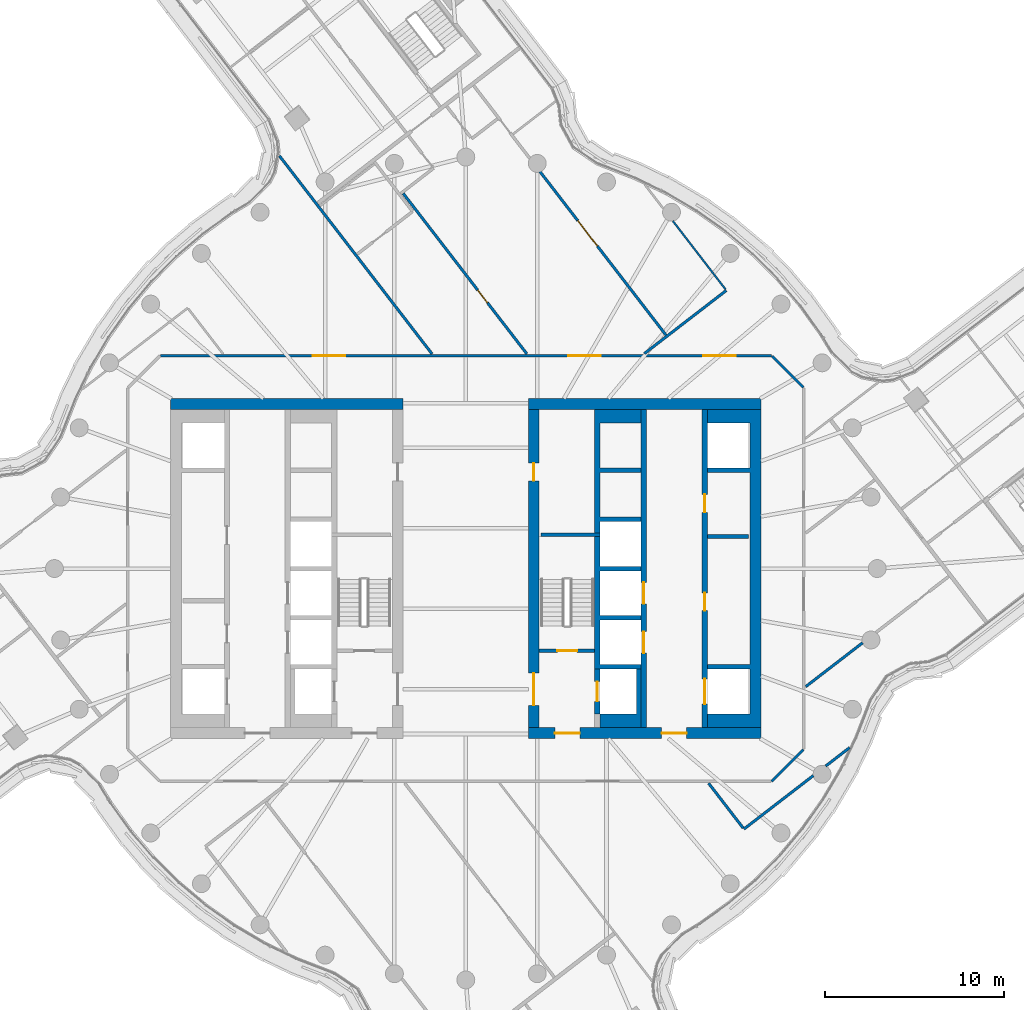
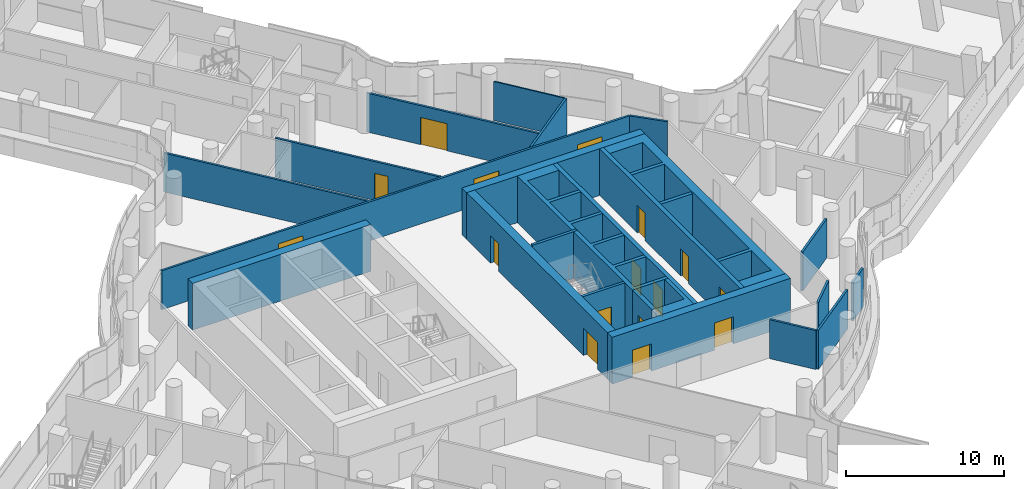
# One storey, part 22 of 33: 25 walls, 16 doors, 16 openings.
"""IFC4 building model written with IfcOpenShell, lengths in metres."""

import ifcopenshell
import ifcopenshell.guid

model = None  # the IFC model being written
_history = None  # IfcOwnerHistory: only IFC2X3 demands one
_inside = {}  # id of a spatial element -> (the spatial element, [elements in it])
_under = {}  # id of a project, library or spatial element -> (it, [spatial elements below it])
_declared = {}  # id of a project -> (the project, [libraries it declares])
_typed = {}  # id of a type object -> (the type object, [elements of that type])
_made_of = {}  # id of a material, layer set ... -> (it, [elements and type objects made of it])


def new_model(schema):
    """Start an empty IFC model of exactly this schema.

    Asked for "IFC4X3", IfcOpenShell would pick the latest addendum, in which some entities
    have other attributes; the version numbers below select the first issue.
    IFC2X3 requires an IfcOwnerHistory on every rooted entity: one is made here for all.
    """
    global model, _history
    if schema == "IFC4X3":
        model = ifcopenshell.file(schema_version=(4, 3, 0, 0))
    else:
        model = ifcopenshell.file(schema=schema)
    _inside.clear()
    _under.clear()
    _declared.clear()
    _typed.clear()
    _made_of.clear()
    _history = None
    if model.schema == "IFC2X3":
        org = make("IfcOrganization", Name="unknown")
        user = make(
            "IfcPersonAndOrganization",
            ThePerson=make("IfcPerson", FamilyName="unknown"),
            TheOrganization=org,
        )
        app = make(
            "IfcApplication",
            ApplicationDeveloper=org,
            Version="unknown",
            ApplicationFullName="unknown",
            ApplicationIdentifier="unknown",
        )
        _history = make(
            "IfcOwnerHistory",
            OwningUser=user,
            OwningApplication=app,
            ChangeAction="ADDED",
            CreationDate=0,
        )
    return model


def make(cls, **values):
    """One entity of the class cls with the attributes given. An attribute that is None is left unset."""
    return model.create_entity(
        cls, **{name: value for name, value in values.items() if value is not None}
    )


def rooted(cls, **values):
    """An entity with a GlobalId (a new one), such as an element, a storey or a relation."""
    return make(cls, GlobalId=ifcopenshell.guid.new(), OwnerHistory=_history, **values)


def si_unit(unit_type, name, prefix=None):
    """IfcSIUnit, for example si_unit("LENGTHUNIT", "METRE", prefix="MILLI")."""
    return make("IfcSIUnit", UnitType=unit_type, Prefix=prefix, Name=name)


def assignment(units):
    """IfcUnitAssignment: the units of a project."""
    return None if units is None else make("IfcUnitAssignment", Units=units)


def point(xyz):
    """IfcCartesianPoint."""
    return None if xyz is None else make("IfcCartesianPoint", Coordinates=xyz)


def direction(xyz):
    """IfcDirection."""
    return None if xyz is None else make("IfcDirection", DirectionRatios=xyz)


def frame(location, z_axis=None, x_axis=None):
    """IfcAxis2Placement3D, a coordinate frame: its origin and axes. An axis left out is left unset."""
    return make(
        "IfcAxis2Placement3D",
        Location=point(location),
        Axis=direction(z_axis),
        RefDirection=direction(x_axis),
    )


def frame_2d(location, x_axis=None):
    """IfcAxis2Placement2D, a coordinate frame in the plane: its origin and x axis."""
    return make(
        "IfcAxis2Placement2D", Location=point(location), RefDirection=direction(x_axis)
    )


def origin():
    """The frame at (0, 0, 0) with its axes left unset."""
    return frame((0.0, 0.0, 0.0))


def place(relative_to, where):
    """IfcLocalPlacement: puts the frame where relative to a parent placement (None: the world)."""
    return make(
        "IfcLocalPlacement", PlacementRelTo=relative_to, RelativePlacement=where
    )


def context(
    kind, dimensions, precision=None, world=None, true_north=None, identifier=None
):
    """IfcGeometricRepresentationContext, for example the 3D "Model" context."""
    return make(
        "IfcGeometricRepresentationContext",
        ContextIdentifier=identifier,
        ContextType=kind,
        CoordinateSpaceDimension=dimensions,
        Precision=precision,
        WorldCoordinateSystem=world,
        TrueNorth=true_north,
    )


def subcontext(parent, identifier, kind, view, scale=None):
    """IfcGeometricRepresentationSubContext, for example "Body" below "Model"."""
    return make(
        "IfcGeometricRepresentationSubContext",
        ContextIdentifier=identifier,
        ContextType=kind,
        ParentContext=parent,
        TargetScale=scale,
        TargetView=view,
    )


def project(units=None, contexts=None):
    """IfcProject with its units and contexts."""
    return rooted(
        "IfcProject",
        Name="project",
        RepresentationContexts=contexts,
        UnitsInContext=assignment(units),
    )


def spatial(cls, under=None, at=None, **own):
    """A site, building, storey or space (cls), placed at a placement, below another one or the project."""
    s = rooted(cls, ObjectPlacement=at, **own)
    if under is not None:
        _under.setdefault(under.id(), (under, []))[1].append(s)
    return s


def polyline(points):
    """IfcPolyline through the points."""
    return make("IfcPolyline", Points=[point(p) for p in points])


def profile(cls, at=None, kind="AREA", **sizes):
    """A parametric profile (cls). Its sizes go by their IFC names, for example OverallWidth=200.0."""
    return make(cls, ProfileType=kind, Position=at, **sizes)


def rectangle(**sizes):
    """IfcRectangleProfileDef."""
    return profile("IfcRectangleProfileDef", **sizes)


def outline(outer, holes=None, kind="AREA"):
    """IfcArbitraryClosedProfileDef: a profile drawn as a closed curve; with holes, ...WithVoids."""
    if holes is None:
        return make("IfcArbitraryClosedProfileDef", ProfileType=kind, OuterCurve=outer)
    return make(
        "IfcArbitraryProfileDefWithVoids",
        ProfileType=kind,
        OuterCurve=outer,
        InnerCurves=holes,
    )


def extrude(swept, where, along, depth):
    """IfcExtrudedAreaSolid: the profile swept, set in the frame where, extruded along a direction by depth."""
    return make(
        "IfcExtrudedAreaSolid",
        SweptArea=swept,
        Position=where,
        ExtrudedDirection=direction(along),
        Depth=depth,
    )


def shape(context_of_items, identifier, shape_type, items):
    """IfcShapeRepresentation: the items that make up one representation, for example the "Body"."""
    return make(
        "IfcShapeRepresentation",
        ContextOfItems=context_of_items,
        RepresentationIdentifier=identifier,
        RepresentationType=shape_type,
        Items=items,
    )


def material(Name=None, Category=None):
    """IfcMaterial."""
    return make("IfcMaterial", Name=Name, Category=Category)


def layer(
    of_material, thickness, ventilated=None, Name=None, Category=None, Priority=None
):
    """IfcMaterialLayer: one layer of a wall or slab, of a material (None: an air gap)."""
    return make(
        "IfcMaterialLayer",
        Material=of_material,
        LayerThickness=thickness,
        IsVentilated=ventilated,
        Name=Name,
        Category=Category,
        Priority=Priority,
    )


def layer_set(layers, Name=None):
    """IfcMaterialLayerSet."""
    return make("IfcMaterialLayerSet", MaterialLayers=layers, LayerSetName=Name)


def made_of(thing, what):
    """Note that an element or type object is made of a material, layer set ...; save() writes the relation."""
    if what is not None:
        _made_of.setdefault(what.id(), (what, []))[1].append(thing)
    return thing


def type_object(cls, material=None, **own):
    """A type object (cls), such as IfcWallType, which elements share."""
    return made_of(rooted(cls, **own), material)


def element(
    cls,
    number,
    at=None,
    inside=None,
    cuts=None,
    type_object=None,
    material=None,
    context=None,
    identifier="Body",
    shape_type=None,
    held_by="IfcProductDefinitionShape",
    body=None,
    shapes=None,
    **own,
):
    """One element of the class cls, such as IfcWall. Its Tag is "e" and its number.

    at: its placement. inside: the storey or other place that contains it. cuts: it is an
    opening in that element (IfcRelVoidsElement). A single representation is given by context,
    identifier, shape_type and body (its items); several are given by shapes. held_by: the class
    of the entity that holds the representations. save() writes the other relations.
    """
    e = rooted(cls, Tag="e%d" % number, ObjectPlacement=at, **own)
    if body is not None:
        shapes = [shape(context, identifier, shape_type, body)]
    if shapes is not None:
        e.Representation = make(held_by, Representations=shapes)
    if inside is not None:
        _inside.setdefault(inside.id(), (inside, []))[1].append(e)
    if cuts is not None:
        rooted(
            "IfcRelVoidsElement", RelatingBuildingElement=cuts, RelatedOpeningElement=e
        )
    if type_object is not None:
        _typed.setdefault(type_object.id(), (type_object, []))[1].append(e)
    return made_of(e, material)


def fill(opening, filler):
    """IfcRelFillsElement: the door or window that sits in an opening."""
    return rooted(
        "IfcRelFillsElement",
        RelatingOpeningElement=opening,
        RelatedBuildingElement=filler,
    )


def aggregate(whole, parts):
    """IfcRelAggregates: a whole, such as a stair, and the parts it consists of."""
    return rooted("IfcRelAggregates", RelatingObject=whole, RelatedObjects=parts)


def save(model, path):
    """Write the relations noted so far, then the file.

    IfcRelAggregates (storeys below a building ...), IfcRelContainedInSpatialStructure (elements
    in a storey), IfcRelDefinesByType, IfcRelAssociatesMaterial and IfcRelDeclares: one each for
    every whole, place, type object, material and project.
    """
    for whole, parts in _under.values():
        aggregate(whole, parts)
    for where, things in _inside.values():
        rooted(
            "IfcRelContainedInSpatialStructure",
            RelatedElements=things,
            RelatingStructure=where,
        )
    for kind, things in _typed.values():
        rooted("IfcRelDefinesByType", RelatedObjects=things, RelatingType=kind)
    for what, things in _made_of.values():
        rooted("IfcRelAssociatesMaterial", RelatedObjects=things, RelatingMaterial=what)
    for by, libraries in _declared.values():
        rooted("IfcRelDeclares", RelatingContext=by, RelatedDefinitions=libraries)
    model.write(path)


model = new_model("IFC4")

# Units and contexts
model_context = context("Model", 3, precision=1e-05, world=origin(), true_north=direction((0.0, 1.0)))
body_context = subcontext(model_context, "Body", "Model", "MODEL_VIEW")
ifc_project = project(units=[si_unit("LENGTHUNIT", "METRE"), si_unit("AREAUNIT", "SQUARE_METRE"), si_unit("VOLUMEUNIT", "CUBIC_METRE"), si_unit("PLANEANGLEUNIT", "RADIAN"), si_unit("MASSUNIT", "GRAM", prefix="KILO")], contexts=[model_context])

# Site, building, storey
site_placement = place(None, origin())
site = spatial("IfcSite", under=ifc_project, at=site_placement, CompositionType="ELEMENT")
building_placement = place(site_placement, origin())
building = spatial("IfcBuilding", under=site, at=building_placement, Name="Tamarind Cross Interchange Tower", CompositionType="ELEMENT")
storey_placement = place(building_placement, frame((0.0, 0.0, 170.5)))
storey = spatial("IfcBuildingStorey", under=building, at=storey_placement, Name="L42", CompositionType="ELEMENT", Elevation=170.5)

# Wall
ifc_material_1 = material(Name="Concrete C60", Category="concrete")
ifc_layer_1 = layer(ifc_material_1, 0.60009765625)
ifc_layer_set_1 = layer_set([ifc_layer_1], Name="Concrete C60")
wall_type_1 = type_object("IfcWallType", Name="Core wall 600 mm Concrete C60", PredefinedType="SHEAR", material=ifc_layer_set_1)
wall_1_placement = place(storey_placement, frame((-16.5, 9.199951171875, 0.0), z_axis=(0.0, 0.0, 1.0), x_axis=(1.0, 0.0, 0.0)))
element("IfcWall", 1, at=wall_1_placement, inside=storey, type_object=wall_type_1, Name="Core wall CWL-L42-W-NE", PredefinedType="SHEAR", context=body_context, shape_type="SweptSolid", body=[
    extrude(rectangle(XDim=13.0, YDim=0.60009765625, at=frame_2d((6.5, 0.0))), origin(), (0.0, 0.0, 1.0), 3.610107421875),
])

# Wall, openings, doors
wall_2_placement = place(storey_placement, frame((16.5, -9.199951171875, 0.0), z_axis=(0.0, 0.0, 1.0), x_axis=(-1.0, 0.0, 0.0)))
wall_2 = element("IfcWall", 2, at=wall_2_placement, inside=storey, type_object=wall_type_1, Name="Core wall CWL-L42-E-S", PredefinedType="SHEAR", context=body_context, shape_type="SweptSolid", body=[
    extrude(rectangle(XDim=13.0, YDim=0.60009765625, at=frame_2d((6.5, 0.0))), origin(), (0.0, 0.0, 1.0), 3.610107421875),
])
opening_1_placement = place(wall_2_placement, frame((4.14990234375, 0.0, 0.0)))
opening_1 = element("IfcOpeningElement", 3, at=opening_1_placement, cuts=wall_2, Name="Opening DCE1", PredefinedType="OPENING", context=body_context, shape_type="SweptSolid", body=[
    extrude(rectangle(XDim=1.39990234375, YDim=2.10009765625, at=frame_2d((0.699951171875, 1.050048828125))), frame((0.0, 0.31005859375, 0.0), z_axis=(0.0, -1.0, 0.0), x_axis=(1.0, 0.0, 0.0)), (0.0, 0.0, 1.0), 0.6201171875),
])
opening_2_placement = place(wall_2_placement, frame((10.125, 0.0, 0.0)))
opening_2 = element("IfcOpeningElement", 4, at=opening_2_placement, cuts=wall_2, Name="Opening DCEF", PredefinedType="OPENING", context=body_context, shape_type="SweptSolid", body=[
    extrude(rectangle(XDim=1.39990234375, YDim=2.10009765625, at=frame_2d((0.699951171875, 1.050048828125))), frame((0.0, 0.31005859375, 0.0), z_axis=(0.0, -1.0, 0.0), x_axis=(1.0, 0.0, 0.0)), (0.0, 0.0, 1.0), 0.6201171875),
])
ifc_material_2 = material(Name="Steel, fire-resisting", Category="steel")
door_type_1 = type_object("IfcDoorType", Name="Core fire door 1400 x 2100 FD90", OperationType="SINGLE_SWING_LEFT", PredefinedType="DOOR", material=ifc_material_2)
door_1_placement = place(opening_1_placement, origin())
door_1 = element("IfcDoor", 5, at=door_1_placement, inside=storey, type_object=door_type_1, Name="L42 lift lobby door", OperationType="SINGLE_SWING_LEFT", OverallHeight=2.10009765625, OverallWidth=1.39990234375, PredefinedType="DOOR", context=body_context, shape_type="SweptSolid", body=[
    extrude(rectangle(XDim=1.39990234375, YDim=2.10009765625, at=frame_2d((0.699951171875, 1.050048828125))), frame((0.0, 0.02490234375, 0.0), z_axis=(0.0, -1.0, 0.0), x_axis=(1.0, 0.0, 0.0)), (0.0, 0.0, 1.0), 0.050048828125),
])
fill(opening_1, door_1)
door_2_placement = place(opening_2_placement, origin())
door_2 = element("IfcDoor", 6, at=door_2_placement, inside=storey, type_object=door_type_1, Name="L42 firefighting lobby end door", OperationType="SINGLE_SWING_LEFT", OverallHeight=2.10009765625, OverallWidth=1.39990234375, PredefinedType="DOOR", context=body_context, shape_type="SweptSolid", body=[
    extrude(rectangle(XDim=1.39990234375, YDim=2.10009765625, at=frame_2d((0.699951171875, 1.050048828125))), frame((0.0, 0.02490234375, 0.0), z_axis=(0.0, -1.0, 0.0), x_axis=(1.0, 0.0, 0.0)), (0.0, 0.0, 1.0), 0.050048828125),
])
fill(opening_2, door_2)

# Walls
wall_3_placement = place(storey_placement, origin())
element("IfcWall", 7, at=wall_3_placement, inside=storey, type_object=wall_type_1, Name="Core wall CWL-L42-E-A", PredefinedType="SHEAR", context=body_context, shape_type="SweptSolid", body=[
    extrude(outline(polyline([(13.5, -8.125), (13.5, -8.89990234375), (15.89990234375, -8.89990234375), (16.5, -8.89990234375), (16.5, 8.89990234375), (15.89990234375, 8.89990234375), (13.5, 8.89990234375), (13.5, 8.125), (15.89990234375, 8.125), (15.89990234375, 5.625), (13.5, 5.625), (13.5, 5.375), (15.89990234375, 5.375), (15.89990234375, -5.375), (13.5, -5.375), (13.5, -5.625), (15.89990234375, -5.625), (15.89990234375, -8.125), (13.5, -8.125)])), origin(), (0.0, 0.0, 1.0), 3.610107421875),
])
wall_4_placement = place(storey_placement, frame((16.5, 9.199951171875, 0.0), z_axis=(0.0, 0.0, 1.0), x_axis=(-1.0, 0.0, 0.0)))
element("IfcWall", 8, at=wall_4_placement, inside=storey, type_object=wall_type_1, Name="Core wall CWL-L42-E-NE", PredefinedType="SHEAR", context=body_context, shape_type="SweptSolid", body=[
    extrude(rectangle(XDim=13.0, YDim=0.60009765625, at=frame_2d((6.5, 0.0))), origin(), (0.0, 0.0, 1.0), 3.610107421875),
])

# Wall, openings, doors
wall_5_placement = place(storey_placement, frame((3.800048828125, -8.89990234375, 0.0), z_axis=(0.0, 0.0, 1.0), x_axis=(0.0, 1.0, 0.0)))
wall_5 = element("IfcWall", 9, at=wall_5_placement, inside=storey, type_object=wall_type_1, Name="Core wall CWL-L42-E-IN", PredefinedType="SHEAR", context=body_context, shape_type="SweptSolid", body=[
    extrude(rectangle(XDim=17.7998046875, YDim=0.60009765625, at=frame_2d((8.89990234375, 0.0))), origin(), (0.0, 0.0, 1.0), 3.610107421875),
])
opening_3_placement = place(wall_5_placement, frame((1.25, 0.0, 0.0)))
opening_3 = element("IfcOpeningElement", 10, at=opening_3_placement, cuts=wall_5, Name="Opening DCE4", PredefinedType="OPENING", context=body_context, shape_type="SweptSolid", body=[
    extrude(rectangle(XDim=1.800048828125, YDim=2.10009765625, at=frame_2d((0.89990234375, 1.050048828125))), frame((0.0, 0.31005859375, 0.0), z_axis=(0.0, -1.0, 0.0), x_axis=(1.0, 0.0, 0.0)), (0.0, 0.0, 1.0), 0.6201171875),
])
opening_4_placement = place(wall_5_placement, frame((13.800048828125, 0.0, 0.0)))
opening_4 = element("IfcOpeningElement", 11, at=opening_4_placement, cuts=wall_5, Name="Opening DCE5", PredefinedType="OPENING", context=body_context, shape_type="SweptSolid", body=[
    extrude(rectangle(XDim=1.0, YDim=2.10009765625, at=frame_2d((0.5, 1.050048828125))), frame((0.0, 0.31005859375, 0.0), z_axis=(0.0, -1.0, 0.0), x_axis=(1.0, 0.0, 0.0)), (0.0, 0.0, 1.0), 0.6201171875),
])
door_type_2 = type_object("IfcDoorType", Name="Core fire door 1000 x 2100 FD90", OperationType="SINGLE_SWING_LEFT", PredefinedType="DOOR", material=ifc_material_2)
door_3_placement = place(opening_4_placement, origin())
door_3 = element("IfcDoor", 12, at=door_3_placement, inside=storey, type_object=door_type_2, Name="L42 riser room door", OperationType="SINGLE_SWING_LEFT", OverallHeight=2.10009765625, OverallWidth=1.0, PredefinedType="DOOR", context=body_context, shape_type="SweptSolid", body=[
    extrude(rectangle(XDim=1.0, YDim=2.10009765625, at=frame_2d((0.5, 1.050048828125))), frame((0.0, 0.02490234375, 0.0), z_axis=(0.0, -1.0, 0.0), x_axis=(1.0, 0.0, 0.0)), (0.0, 0.0, 1.0), 0.050048828125),
])
fill(opening_4, door_3)
door_type_3 = type_object("IfcDoorType", Name="Core fire door 1800 x 2100 FD90", OperationType="SINGLE_SWING_LEFT", PredefinedType="DOOR", material=ifc_material_2)
door_4_placement = place(opening_3_placement, origin())
door_4 = element("IfcDoor", 13, at=door_4_placement, inside=storey, type_object=door_type_3, Name="L42 firefighting lobby door", OperationType="SINGLE_SWING_LEFT", OverallHeight=2.10009765625, OverallWidth=1.800048828125, PredefinedType="DOOR", context=body_context, shape_type="SweptSolid", body=[
    extrude(rectangle(XDim=1.800048828125, YDim=2.10009765625, at=frame_2d((0.89990234375, 1.050048828125))), frame((0.0, 0.02490234375, 0.0), z_axis=(0.0, -1.0, 0.0), x_axis=(1.0, 0.0, 0.0)), (0.0, 0.0, 1.0), 0.050048828125),
])
fill(opening_3, door_4)

# Walls
ifc_layer_2 = layer(ifc_material_1, 0.199951171875)
ifc_layer_set_2 = layer_set([ifc_layer_2], Name="Concrete C60")
wall_type_2 = type_object("IfcWallType", Name="Core web wall 200 mm Concrete C60", PredefinedType="SHEAR", material=ifc_layer_set_2)
wall_6_placement = place(storey_placement, frame((7.5, 1.89990234375, 0.0), z_axis=(0.0, 0.0, 1.0), x_axis=(-1.0, 0.0, 0.0)))
element("IfcWall", 14, at=wall_6_placement, inside=storey, type_object=wall_type_2, Name="Core wall CWL-L42-E-BD", PredefinedType="SHEAR", context=body_context, shape_type="SweptSolid", body=[
    extrude(rectangle(XDim=3.300048828125, YDim=0.199951171875, at=frame_2d((1.64990234375, 0.0))), origin(), (0.0, 0.0, 1.0), 3.610107421875),
])
ifc_layer_3 = layer(ifc_material_1, 0.300048828125)
ifc_layer_set_3 = layer_set([ifc_layer_3], Name="Concrete C60")
wall_type_3 = type_object("IfcWallType", Name="Core web wall 300 mm Concrete C60", PredefinedType="SHEAR", material=ifc_layer_set_3)
wall_7_placement = place(storey_placement, origin())
element("IfcWall", 15, at=wall_7_placement, inside=storey, type_object=wall_type_3, Name="Core wall CWL-L42-E-BN", PredefinedType="SHEAR", context=body_context, shape_type="SweptSolid", body=[
    extrude(outline(polyline([(9.800048828125, -5.375), (7.5, -5.375), (7.5, -2.875), (9.800048828125, -2.875), (9.800048828125, -2.625), (7.5, -2.625), (7.5, -0.125), (9.800048828125, -0.125), (9.800048828125, 0.125), (7.5, 0.125), (7.5, 2.625), (9.800048828125, 2.625), (9.800048828125, 2.875), (7.5, 2.875), (7.5, 5.375), (9.800048828125, 5.375), (9.800048828125, 5.625), (7.5, 5.625), (7.5, 8.125), (9.800048828125, 8.125), (9.800048828125, 8.89990234375), (7.5, 8.89990234375), (7.199951171875, 8.89990234375), (7.199951171875, -5.625), (7.5, -5.625), (9.800048828125, -5.625), (9.800048828125, -5.375)])), origin(), (0.0, 0.0, 1.0), 3.610107421875),
])
wall_8_placement = place(storey_placement, origin())
element("IfcWall", 16, at=wall_8_placement, inside=storey, type_object=wall_type_3, Name="Core wall CWL-L42-E-BS", PredefinedType="SHEAR", context=body_context, shape_type="SweptSolid", body=[
    extrude(outline(polyline([(7.5, -8.125), (7.5, -8.89990234375), (9.800048828125, -8.89990234375), (9.800048828125, -8.125), (9.800048828125, -5.625), (9.550048828125, -5.625), (9.550048828125, -8.125), (7.5, -8.125)])), origin(), (0.0, 0.0, 1.0), 3.610107421875),
])

# Wall, openings, doors
wall_9_placement = place(storey_placement, frame((13.35009765625, -8.89990234375, 0.0), z_axis=(0.0, 0.0, 1.0), x_axis=(0.0, 1.0, 0.0)))
wall_9 = element("IfcWall", 17, at=wall_9_placement, inside=storey, type_object=wall_type_3, Name="Core wall CWL-L42-E-LA", PredefinedType="SHEAR", context=body_context, shape_type="SweptSolid", body=[
    extrude(rectangle(XDim=17.7998046875, YDim=0.300048828125, at=frame_2d((8.89990234375, 0.0))), origin(), (0.0, 0.0, 1.0), 3.610107421875),
])
opening_5_placement = place(wall_9_placement, frame((1.324951171875, 0.0, 0.0)))
opening_5 = element("IfcOpeningElement", 18, at=opening_5_placement, cuts=wall_9, Name="Opening LD13L42", PredefinedType="OPENING", context=body_context, shape_type="SweptSolid", body=[
    extrude(rectangle(XDim=1.39990234375, YDim=2.10009765625, at=frame_2d((0.699951171875, 1.050048828125))), frame((0.0, 0.159912109375, 0.0), z_axis=(0.0, -1.0, 0.0), x_axis=(1.0, 0.0, 0.0)), (0.0, 0.0, 1.0), 0.320068359375),
])
opening_6_placement = place(wall_9_placement, frame((6.5458984375, 0.0, 0.0)))
opening_6 = element("IfcOpeningElement", 19, at=opening_6_placement, cuts=wall_9, Name="Opening DCE9", PredefinedType="OPENING", context=body_context, shape_type="SweptSolid", body=[
    extrude(rectangle(XDim=1.0, YDim=2.10009765625, at=frame_2d((0.5, 1.050048828125))), frame((0.0, 0.159912109375, 0.0), z_axis=(0.0, -1.0, 0.0), x_axis=(1.0, 0.0, 0.0)), (0.0, 0.0, 1.0), 0.320068359375),
])
opening_7_placement = place(wall_9_placement, frame((12.0458984375, 0.0, 0.0)))
opening_7 = element("IfcOpeningElement", 20, at=opening_7_placement, cuts=wall_9, Name="Opening DCE10", PredefinedType="OPENING", context=body_context, shape_type="SweptSolid", body=[
    extrude(rectangle(XDim=1.0, YDim=2.10009765625, at=frame_2d((0.5, 1.050048828125))), frame((0.0, 0.159912109375, 0.0), z_axis=(0.0, -1.0, 0.0), x_axis=(1.0, 0.0, 0.0)), (0.0, 0.0, 1.0), 0.320068359375),
])
door_5_placement = place(opening_6_placement, origin())
door_5 = element("IfcDoor", 21, at=door_5_placement, inside=storey, type_object=door_type_2, Name="L42 Print room door", OperationType="SINGLE_SWING_LEFT", OverallHeight=2.10009765625, OverallWidth=1.0, PredefinedType="DOOR", context=body_context, shape_type="SweptSolid", body=[
    extrude(rectangle(XDim=1.0, YDim=2.10009765625, at=frame_2d((0.5, 1.050048828125))), frame((0.0, 0.02490234375, 0.0), z_axis=(0.0, -1.0, 0.0), x_axis=(1.0, 0.0, 0.0)), (0.0, 0.0, 1.0), 0.050048828125),
])
fill(opening_6, door_5)
door_6_placement = place(opening_7_placement, origin())
door_6 = element("IfcDoor", 22, at=door_6_placement, inside=storey, type_object=door_type_2, Name="L42 IT room door", OperationType="SINGLE_SWING_LEFT", OverallHeight=2.10009765625, OverallWidth=1.0, PredefinedType="DOOR", context=body_context, shape_type="SweptSolid", body=[
    extrude(rectangle(XDim=1.0, YDim=2.10009765625, at=frame_2d((0.5, 1.050048828125))), frame((0.0, 0.02490234375, 0.0), z_axis=(0.0, -1.0, 0.0), x_axis=(1.0, 0.0, 0.0)), (0.0, 0.0, 1.0), 0.050048828125),
])
fill(opening_7, door_6)
ifc_material_3 = material(Name="Stainless steel panel", Category="steel")
door_type_4 = type_object("IfcDoorType", Name="Lift landing door 1400 x 2100 E 120", OperationType="SLIDING_TO_LEFT", PredefinedType="DOOR", material=ifc_material_3)
door_7_placement = place(opening_5_placement, origin())
door_7 = element("IfcDoor", 23, at=door_7_placement, inside=storey, type_object=door_type_4, Name="L42 landing door LF13", OperationType="SLIDING_TO_LEFT", OverallHeight=2.10009765625, OverallWidth=1.39990234375, PredefinedType="DOOR", context=body_context, shape_type="SweptSolid", body=[
    extrude(rectangle(XDim=1.39990234375, YDim=2.10009765625, at=frame_2d((0.699951171875, 1.050048828125))), frame((0.0, 0.02490234375, 0.0), z_axis=(0.0, -1.0, 0.0), x_axis=(1.0, 0.0, 0.0)), (0.0, 0.0, 1.0), 0.050048828125),
])
fill(opening_5, door_7)

wall_10_placement = place(storey_placement, frame((9.949951171875, -8.89990234375, 0.0), z_axis=(0.0, 0.0, 1.0), x_axis=(0.0, 1.0, 0.0)))
wall_10 = element("IfcWall", 24, at=wall_10_placement, inside=storey, type_object=wall_type_3, Name="Core wall CWL-L42-E-LB", PredefinedType="SHEAR", context=body_context, shape_type="SweptSolid", body=[
    extrude(rectangle(XDim=17.7998046875, YDim=0.300048828125, at=frame_2d((8.89990234375, 0.0))), origin(), (0.0, 0.0, 1.0), 3.610107421875),
])
opening_8_placement = place(wall_10_placement, frame((4.175048828125, 0.0, 0.0)))
opening_8 = element("IfcOpeningElement", 25, at=opening_8_placement, cuts=wall_10, Name="Opening LD20L42", PredefinedType="OPENING", context=body_context, shape_type="SweptSolid", body=[
    extrude(rectangle(XDim=1.199951171875, YDim=2.10009765625, at=frame_2d((0.60009765625, 1.050048828125))), frame((0.0, 0.159912109375, 0.0), z_axis=(0.0, -1.0, 0.0), x_axis=(1.0, 0.0, 0.0)), (0.0, 0.0, 1.0), 0.320068359375),
])
opening_9_placement = place(wall_10_placement, frame((6.925048828125, 0.0, 0.0)))
opening_9 = element("IfcOpeningElement", 26, at=opening_9_placement, cuts=wall_10, Name="Opening LD21L42", PredefinedType="OPENING", context=body_context, shape_type="SweptSolid", body=[
    extrude(rectangle(XDim=1.199951171875, YDim=2.10009765625, at=frame_2d((0.60009765625, 1.050048828125))), frame((0.0, 0.159912109375, 0.0), z_axis=(0.0, -1.0, 0.0), x_axis=(1.0, 0.0, 0.0)), (0.0, 0.0, 1.0), 0.320068359375),
])
door_type_5 = type_object("IfcDoorType", Name="Lift landing door 1200 x 2100 E 120", OperationType="SLIDING_TO_LEFT", PredefinedType="DOOR", material=ifc_material_3)
door_8_placement = place(opening_8_placement, origin())
door_8 = element("IfcDoor", 27, at=door_8_placement, inside=storey, type_object=door_type_5, Name="L42 landing door LF20", OperationType="SLIDING_TO_LEFT", OverallHeight=2.10009765625, OverallWidth=1.199951171875, PredefinedType="DOOR", context=body_context, shape_type="SweptSolid", body=[
    extrude(rectangle(XDim=1.199951171875, YDim=2.10009765625, at=frame_2d((0.60009765625, 1.050048828125))), frame((0.0, 0.02490234375, 0.0), z_axis=(0.0, -1.0, 0.0), x_axis=(1.0, 0.0, 0.0)), (0.0, 0.0, 1.0), 0.050048828125),
])
fill(opening_8, door_8)
door_9_placement = place(opening_9_placement, origin())
door_9 = element("IfcDoor", 28, at=door_9_placement, inside=storey, type_object=door_type_5, Name="L42 landing door LF21", OperationType="SLIDING_TO_LEFT", OverallHeight=2.10009765625, OverallWidth=1.199951171875, PredefinedType="DOOR", context=body_context, shape_type="SweptSolid", body=[
    extrude(rectangle(XDim=1.199951171875, YDim=2.10009765625, at=frame_2d((0.60009765625, 1.050048828125))), frame((0.0, 0.02490234375, 0.0), z_axis=(0.0, -1.0, 0.0), x_axis=(1.0, 0.0, 0.0)), (0.0, 0.0, 1.0), 0.050048828125),
])
fill(opening_9, door_9)

# Wall, opening, door
wall_11_placement = place(storey_placement, frame((7.35009765625, -8.125, 0.0), z_axis=(0.0, 0.0, 1.0), x_axis=(0.0, 1.0, 0.0)))
wall_11 = element("IfcWall", 29, at=wall_11_placement, inside=storey, type_object=wall_type_3, Name="Core wall CWL-L42-E-FF", PredefinedType="SHEAR", context=body_context, shape_type="SweptSolid", body=[
    extrude(rectangle(XDim=2.5, YDim=0.300048828125, at=frame_2d((1.25, 0.0))), origin(), (0.0, 0.0, 1.0), 3.610107421875),
])
opening_10_placement = place(wall_11_placement, frame((0.699951171875, 0.0, 0.0)))
opening_10 = element("IfcOpeningElement", 30, at=opening_10_placement, cuts=wall_11, Name="Opening LD19L42", PredefinedType="OPENING", context=body_context, shape_type="SweptSolid", body=[
    extrude(rectangle(XDim=1.10009765625, YDim=2.10009765625, at=frame_2d((0.550048828125, 1.050048828125))), frame((0.0, 0.159912109375, 0.0), z_axis=(0.0, -1.0, 0.0), x_axis=(1.0, 0.0, 0.0)), (0.0, 0.0, 1.0), 0.320068359375),
])
door_type_6 = type_object("IfcDoorType", Name="Lift landing door 1100 x 2100 E 120", OperationType="SLIDING_TO_LEFT", PredefinedType="DOOR", material=ifc_material_3)
door_10_placement = place(opening_10_placement, origin())
door_10 = element("IfcDoor", 31, at=door_10_placement, inside=storey, type_object=door_type_6, Name="L42 landing door LF19", OperationType="SLIDING_TO_LEFT", OverallHeight=2.10009765625, OverallWidth=1.10009765625, PredefinedType="DOOR", context=body_context, shape_type="SweptSolid", body=[
    extrude(rectangle(XDim=1.10009765625, YDim=2.10009765625, at=frame_2d((0.550048828125, 1.050048828125))), frame((0.0, 0.02490234375, 0.0), z_axis=(0.0, -1.0, 0.0), x_axis=(1.0, 0.0, 0.0)), (0.0, 0.0, 1.0), 0.050048828125),
])
fill(opening_10, door_10)

# Walls
ifc_material_4 = material(Name="Gypsum board partition on steel studs", Category="steel")
ifc_layer_4 = layer(ifc_material_4, 0.10009765625)
ifc_layer_set_4 = layer_set([ifc_layer_4], Name="Gypsum board partition on steel studs")
wall_type_4 = type_object("IfcWallType", Name="Partition 100 mm EI 90", PredefinedType="PARTITIONING", material=ifc_layer_set_4)
wall_12_placement = place(storey_placement, frame((11.574951171875, 19.4287109375, 0.0), z_axis=(0.0, 0.0, 1.0), x_axis=(0.610346471548, -0.792134574848, 0.0)))
element("IfcWall", 32, at=wall_12_placement, inside=storey, type_object=wall_type_4, Name="Partition L42-027", PredefinedType="PARTITIONING", context=body_context, shape_type="SweptSolid", body=[
    extrude(rectangle(XDim=4.823974609375, YDim=0.10009765625, at=frame_2d((2.412109375, 0.0))), origin(), (0.0, 0.0, 1.0), 3.010009765625),
])
ifc_layer_5 = layer(ifc_material_4, 0.14990234375)
ifc_layer_set_5 = layer_set([ifc_layer_5], Name="Gypsum board partition on steel studs")
wall_type_5 = type_object("IfcWallType", Name="Partition 150 mm EI 120", PredefinedType="PARTITIONING", material=ifc_layer_set_5)
wall_13_placement = place(storey_placement, frame((-10.42041015625, 23.072265625, 0.0), z_axis=(0.0, 0.0, 1.0), x_axis=(0.61034802643, -0.792133376795, 0.0)))
element("IfcWall", 33, at=wall_13_placement, inside=storey, type_object=wall_type_5, Name="Partition L42-015", PredefinedType="PARTITIONING", context=body_context, shape_type="SweptSolid", body=[
    extrude(rectangle(XDim=13.97412109375, YDim=0.14990234375, at=frame_2d((6.987060546875, 0.0))), origin(), (0.0, 0.0, 1.0), 3.010009765625),
])

# Wall, opening, door
wall_14_placement = place(storey_placement, frame((-3.499267578125, 20.970703125, 0.0), z_axis=(0.0, 0.0, 1.0), x_axis=(0.610355666617, -0.792127489883, 0.0)))
wall_14 = element("IfcWall", 34, at=wall_14_placement, inside=storey, type_object=wall_type_5, Name="Partition L42-017", PredefinedType="PARTITIONING", context=body_context, shape_type="SweptSolid", body=[
    extrude(rectangle(XDim=11.321044921875, YDim=0.14990234375, at=frame_2d((5.66064453125, 0.0))), origin(), (0.0, 0.0, 1.0), 3.010009765625),
])
opening_11_placement = place(wall_14_placement, frame((6.820068359375, 0.0, 0.0)))
opening_11 = element("IfcOpeningElement", 35, at=opening_11_placement, cuts=wall_14, Name="Opening D09", PredefinedType="OPENING", context=body_context, shape_type="SweptSolid", body=[
    extrude(rectangle(XDim=0.89990234375, YDim=2.10009765625, at=frame_2d((0.449951171875, 1.050048828125))), frame((0.0, 0.0849609375, 0.0), z_axis=(0.0, -1.0, 0.0), x_axis=(1.0, 0.0, 0.0)), (0.0, 0.0, 1.0), 0.169921875),
])
ifc_material_5 = material(Name="Fire-resisting door set")
door_type_7 = type_object("IfcDoorType", Name="Interior door 900 x 2100 FD60S", OperationType="SINGLE_SWING_LEFT", PredefinedType="DOOR", material=ifc_material_5)
door_11_placement = place(opening_11_placement, frame((0.89990234375, 0.0, 0.0), z_axis=(0.0, 0.0, 1.0), x_axis=(-1.0, 0.0, 0.0)))
door_11 = element("IfcDoor", 36, at=door_11_placement, inside=storey, type_object=door_type_7, Name="Door D09", OperationType="SINGLE_SWING_RIGHT", OverallHeight=2.10009765625, OverallWidth=0.89990234375, PredefinedType="DOOR", context=body_context, shape_type="SweptSolid", body=[
    extrude(rectangle(XDim=0.89990234375, YDim=2.10009765625, at=frame_2d((0.449951171875, 1.050048828125))), frame((0.0, 0.02490234375, 0.0), z_axis=(0.0, -1.0, 0.0), x_axis=(1.0, 0.0, 0.0)), (0.0, 0.0, 1.0), 0.050048828125),
])
fill(opening_11, door_11)

wall_15_placement = place(storey_placement, frame((4.00146484375, 22.3779296875, 0.0), z_axis=(0.0, 0.0, 1.0), x_axis=(0.610409788395, -0.792085784642, 0.0)))
wall_15 = element("IfcWall", 37, at=wall_15_placement, inside=storey, type_object=wall_type_5, Name="Partition L42-021", PredefinedType="PARTITIONING", context=body_context, shape_type="SweptSolid", body=[
    extrude(rectangle(XDim=11.77734375, YDim=0.14990234375, at=frame_2d((5.888671875, 0.0))), origin(), (0.0, 0.0, 1.0), 3.010009765625),
])
opening_12_placement = place(wall_15_placement, frame((3.6962890625, 0.0, 0.0)))
opening_12 = element("IfcOpeningElement", 38, at=opening_12_placement, cuts=wall_15, Name="Opening D13", PredefinedType="OPENING", context=body_context, shape_type="SweptSolid", body=[
    extrude(rectangle(XDim=1.800048828125, YDim=2.10009765625, at=frame_2d((0.89990234375, 1.050048828125))), frame((0.0, 0.0849609375, 0.0), z_axis=(0.0, -1.0, 0.0), x_axis=(1.0, 0.0, 0.0)), (0.0, 0.0, 1.0), 0.169921875),
])
door_type_8 = type_object("IfcDoorType", Name="Interior door 1800 x 2100 FD60S", OperationType="DOUBLE_DOOR_SINGLE_SWING", PredefinedType="DOOR", material=ifc_material_5)
door_12_placement = place(opening_12_placement, origin())
door_12 = element("IfcDoor", 39, at=door_12_placement, inside=storey, type_object=door_type_8, Name="Door D13", OperationType="DOUBLE_DOOR_SINGLE_SWING", OverallHeight=2.10009765625, OverallWidth=1.800048828125, PredefinedType="DOOR", context=body_context, shape_type="SweptSolid", body=[
    extrude(rectangle(XDim=1.800048828125, YDim=2.10009765625, at=frame_2d((0.89990234375, 1.050048828125))), frame((0.0, 0.02490234375, 0.0), z_axis=(0.0, -1.0, 0.0), x_axis=(1.0, 0.0, 0.0)), (0.0, 0.0, 1.0), 0.050048828125),
])
fill(opening_12, door_12)

# Walls
wall_16_placement = place(storey_placement, frame((13.57421875, -12.0029296875, 0.0), z_axis=(0.0, 0.0, 1.0), x_axis=(0.61027454424, -0.79218999025, 0.0)))
element("IfcWall", 40, at=wall_16_placement, inside=storey, type_object=wall_type_5, Name="Partition L42-028", PredefinedType="PARTITIONING", context=body_context, shape_type="SweptSolid", body=[
    extrude(rectangle(XDim=3.1591796875, YDim=0.14990234375, at=frame_2d((1.57958984375, 0.0))), origin(), (0.0, 0.0, 1.0), 3.010009765625),
])
wall_17_placement = place(storey_placement, frame((17.12841796875, 11.87158203125, 0.0), z_axis=(0.0, 0.0, 1.0), x_axis=(0.707106781187, -0.707106781187, 0.0)))
element("IfcWall", 41, at=wall_17_placement, inside=storey, type_object=wall_type_5, Name="Partition L42-037", PredefinedType="PARTITIONING", context=body_context, shape_type="SweptSolid", body=[
    extrude(rectangle(XDim=2.465087890625, YDim=0.14990234375, at=frame_2d((1.232421875, 0.0))), origin(), (0.0, 0.0, 1.0), 3.010009765625),
])

# Wall, openings, doors
wall_18_placement = place(storey_placement, frame((-17.06494140625, 11.89990234375, 0.0), z_axis=(0.0, 0.0, 1.0), x_axis=(1.0, 0.0, 0.0)))
wall_18 = element("IfcWall", 42, at=wall_18_placement, inside=storey, type_object=wall_type_5, Name="Partition L42-039", PredefinedType="PARTITIONING", context=body_context, shape_type="SweptSolid", body=[
    extrude(rectangle(XDim=34.1650390625, YDim=0.14990234375, at=frame_2d((17.08251953125, 0.0))), origin(), (0.0, 0.0, 1.0), 3.010009765625),
])
opening_13_placement = place(wall_18_placement, frame((22.804931640625, 0.0, 0.0)))
opening_13 = element("IfcOpeningElement", 43, at=opening_13_placement, cuts=wall_18, Name="Opening D21", PredefinedType="OPENING", context=body_context, shape_type="SweptSolid", body=[
    extrude(rectangle(XDim=1.800048828125, YDim=2.10009765625, at=frame_2d((0.89990234375, 1.050048828125))), frame((0.0, 0.0849609375, 0.0), z_axis=(0.0, -1.0, 0.0), x_axis=(1.0, 0.0, 0.0)), (0.0, 0.0, 1.0), 0.169921875),
])
opening_14_placement = place(wall_18_placement, frame((30.344970703125, 0.0, 0.0)))
opening_14 = element("IfcOpeningElement", 44, at=opening_14_placement, cuts=wall_18, Name="Opening D22", PredefinedType="OPENING", context=body_context, shape_type="SweptSolid", body=[
    extrude(rectangle(XDim=1.800048828125, YDim=2.10009765625, at=frame_2d((0.89990234375, 1.050048828125))), frame((0.0, 0.0849609375, 0.0), z_axis=(0.0, -1.0, 0.0), x_axis=(1.0, 0.0, 0.0)), (0.0, 0.0, 1.0), 0.169921875),
])
opening_15_placement = place(wall_18_placement, frame((8.52001953125, 0.0, 0.0)))
opening_15 = element("IfcOpeningElement", 45, at=opening_15_placement, cuts=wall_18, Name="Opening D23", PredefinedType="OPENING", context=body_context, shape_type="SweptSolid", body=[
    extrude(rectangle(XDim=1.800048828125, YDim=2.10009765625, at=frame_2d((0.89990234375, 1.050048828125))), frame((0.0, 0.0849609375, 0.0), z_axis=(0.0, -1.0, 0.0), x_axis=(1.0, 0.0, 0.0)), (0.0, 0.0, 1.0), 0.169921875),
])
door_13_placement = place(opening_13_placement, frame((1.800048828125, 0.0, 0.0), z_axis=(0.0, 0.0, 1.0), x_axis=(-1.0, 0.0, 0.0)))
door_13 = element("IfcDoor", 46, at=door_13_placement, inside=storey, type_object=door_type_8, Name="Door D21", OperationType="DOUBLE_DOOR_SINGLE_SWING", OverallHeight=2.10009765625, OverallWidth=1.800048828125, PredefinedType="DOOR", context=body_context, shape_type="SweptSolid", body=[
    extrude(rectangle(XDim=1.800048828125, YDim=2.10009765625, at=frame_2d((0.89990234375, 1.050048828125))), frame((0.0, 0.02490234375, 0.0), z_axis=(0.0, -1.0, 0.0), x_axis=(1.0, 0.0, 0.0)), (0.0, 0.0, 1.0), 0.050048828125),
])
fill(opening_13, door_13)
door_14_placement = place(opening_14_placement, origin())
door_14 = element("IfcDoor", 47, at=door_14_placement, inside=storey, type_object=door_type_8, Name="Door D22", OperationType="DOUBLE_DOOR_SINGLE_SWING", OverallHeight=2.10009765625, OverallWidth=1.800048828125, PredefinedType="DOOR", context=body_context, shape_type="SweptSolid", body=[
    extrude(rectangle(XDim=1.800048828125, YDim=2.10009765625, at=frame_2d((0.89990234375, 1.050048828125))), frame((0.0, 0.02490234375, 0.0), z_axis=(0.0, -1.0, 0.0), x_axis=(1.0, 0.0, 0.0)), (0.0, 0.0, 1.0), 0.050048828125),
])
fill(opening_14, door_14)
door_15_placement = place(opening_15_placement, frame((1.800048828125, 0.0, 0.0), z_axis=(0.0, 0.0, 1.0), x_axis=(-1.0, 0.0, 0.0)))
door_15 = element("IfcDoor", 48, at=door_15_placement, inside=storey, type_object=door_type_8, Name="Door D23", OperationType="DOUBLE_DOOR_SINGLE_SWING", OverallHeight=2.10009765625, OverallWidth=1.800048828125, PredefinedType="DOOR", context=body_context, shape_type="SweptSolid", body=[
    extrude(rectangle(XDim=1.800048828125, YDim=2.10009765625, at=frame_2d((0.89990234375, 1.050048828125))), frame((0.0, 0.02490234375, 0.0), z_axis=(0.0, -1.0, 0.0), x_axis=(1.0, 0.0, 0.0)), (0.0, 0.0, 1.0), 0.050048828125),
])
fill(opening_15, door_15)

# Walls
wall_19_placement = place(storey_placement, frame((9.98046875, 12.01611328125, 0.0), z_axis=(0.0, 0.0, 1.0), x_axis=(0.792167406266, 0.610303859114, 0.0)))
element("IfcWall", 49, at=wall_19_placement, inside=storey, type_object=wall_type_5, Name="Partition L42-063", PredefinedType="PARTITIONING", context=body_context, shape_type="SweptSolid", body=[
    extrude(rectangle(XDim=5.787353515625, YDim=0.14990234375, at=frame_2d((2.8935546875, 0.0))), origin(), (0.0, 0.0, 1.0), 3.010009765625),
])
wall_20_placement = place(storey_placement, frame((15.548095703125, -14.56494140625, 0.0), z_axis=(0.0, 0.0, 1.0), x_axis=(0.792140202804, 0.610339167269, 0.0)))
element("IfcWall", 50, at=wall_20_placement, inside=storey, type_object=wall_type_5, Name="Partition L42-064", PredefinedType="PARTITIONING", context=body_context, shape_type="SweptSolid", body=[
    extrude(rectangle(XDim=4.89892578125, YDim=0.14990234375, at=frame_2d((2.449462890625, 0.0))), origin(), (0.0, 0.0, 1.0), 3.010009765625),
])
wall_21_placement = place(storey_placement, frame((20.118408203125, -11.043701171875, 0.0), z_axis=(0.0, 0.0, 1.0), x_axis=(0.792123801297, 0.610360453682, 0.0)))
element("IfcWall", 51, at=wall_21_placement, inside=storey, type_object=wall_type_5, Name="Partition L42-065", PredefinedType="PARTITIONING", context=body_context, shape_type="SweptSolid", body=[
    extrude(rectangle(XDim=1.6884765625, YDim=0.14990234375, at=frame_2d((0.84423828125, 0.0))), origin(), (0.0, 0.0, 1.0), 3.010009765625),
])
wall_22_placement = place(storey_placement, frame((19.0029296875, -6.601806640625, 0.0), z_axis=(0.0, 0.0, 1.0), x_axis=(0.792101467192, 0.610389437713, 0.0)))
element("IfcWall", 52, at=wall_22_placement, inside=storey, type_object=wall_type_5, Name="Partition L42-066", PredefinedType="PARTITIONING", context=body_context, shape_type="SweptSolid", body=[
    extrude(rectangle(XDim=4.0146484375, YDim=0.14990234375, at=frame_2d((2.00732421875, 0.0))), origin(), (0.0, 0.0, 1.0), 3.010009765625),
])
wall_23_placement = place(storey_placement, frame((17.10009765625, -11.89990234375, 0.0), z_axis=(0.0, 0.0, 1.0), x_axis=(0.707106781187, 0.707106781187, 0.0)))
element("IfcWall", 53, at=wall_23_placement, inside=storey, type_object=wall_type_5, Name="Partition L42-074", PredefinedType="PARTITIONING", context=body_context, shape_type="SweptSolid", body=[
    extrude(rectangle(XDim=2.50537109375, YDim=0.14990234375, at=frame_2d((1.252685546875, 0.0))), origin(), (0.0, 0.0, 1.0), 3.010009765625),
])
ifc_material_6 = material(Name="Concrete C40", Category="concrete")
ifc_layer_6 = layer(ifc_material_6, 0.25)
ifc_layer_set_6 = layer_set([ifc_layer_6], Name="Concrete C40")
wall_type_6 = type_object("IfcWallType", Name="Shaft and lobby wall 250 mm Concrete C40", PredefinedType="PARTITIONING", material=ifc_layer_set_6)
wall_24_placement = place(storey_placement, frame((15.800048828125, 1.7919921875, 0.0), z_axis=(0.0, 0.0, 1.0), x_axis=(-1.0, 0.0, 0.0)))
element("IfcWall", 54, at=wall_24_placement, inside=storey, type_object=wall_type_6, Name="Shaft wall CWL-L42-E-FPA1", PredefinedType="PARTITIONING", context=body_context, shape_type="SweptSolid", body=[
    extrude(rectangle(XDim=2.300048828125, YDim=0.25, at=frame_2d((1.14990234375, 0.0))), origin(), (0.0, 0.0, 1.0), 3.610107421875),
])

# Wall, opening, door
ifc_layer_7 = layer(ifc_material_6, 0.199951171875)
ifc_layer_set_7 = layer_set([ifc_layer_7], Name="Concrete C40")
wall_type_7 = type_object("IfcWallType", Name="Stair shaft wall 200 mm Concrete C40", PredefinedType="SHEAR", material=ifc_layer_set_7)
wall_25_placement = place(storey_placement, frame((7.199951171875, -4.60009765625, 0.0), z_axis=(0.0, 0.0, 1.0), x_axis=(-1.0, 0.0, 0.0)))
wall_25 = element("IfcWall", 55, at=wall_25_placement, inside=storey, type_object=wall_type_7, Name="Core wall CWL-L42-E-SD", PredefinedType="SHEAR", context=body_context, shape_type="SweptSolid", body=[
    extrude(rectangle(XDim=3.099853515625, YDim=0.199951171875, at=frame_2d((1.5498046875, 0.0))), origin(), (0.0, 0.0, 1.0), 3.610107421875),
])
opening_16_placement = place(wall_25_placement, frame((0.97509765625, 0.0, 0.0)))
opening_16 = element("IfcOpeningElement", 56, at=opening_16_placement, cuts=wall_25, Name="Opening DCE6", PredefinedType="OPENING", context=body_context, shape_type="SweptSolid", body=[
    extrude(rectangle(XDim=1.10009765625, YDim=2.10009765625, at=frame_2d((0.550048828125, 1.050048828125))), frame((0.0, 0.10986328125, 0.0), z_axis=(0.0, -1.0, 0.0), x_axis=(1.0, 0.0, 0.0)), (0.0, 0.0, 1.0), 0.219970703125),
])
door_type_9 = type_object("IfcDoorType", Name="Core fire door 1100 x 2100 FD90", OperationType="SINGLE_SWING_LEFT", PredefinedType="DOOR", material=ifc_material_2)
door_16_placement = place(opening_16_placement, origin())
door_16 = element("IfcDoor", 57, at=door_16_placement, inside=storey, type_object=door_type_9, Name="L42 stair door", OperationType="SINGLE_SWING_LEFT", OverallHeight=2.10009765625, OverallWidth=1.10009765625, PredefinedType="DOOR", context=body_context, shape_type="SweptSolid", body=[
    extrude(rectangle(XDim=1.10009765625, YDim=2.10009765625, at=frame_2d((0.550048828125, 1.050048828125))), frame((0.0, 0.02490234375, 0.0), z_axis=(0.0, -1.0, 0.0), x_axis=(1.0, 0.0, 0.0)), (0.0, 0.0, 1.0), 0.050048828125),
])
fill(opening_16, door_16)

save(model, "model.ifc")
